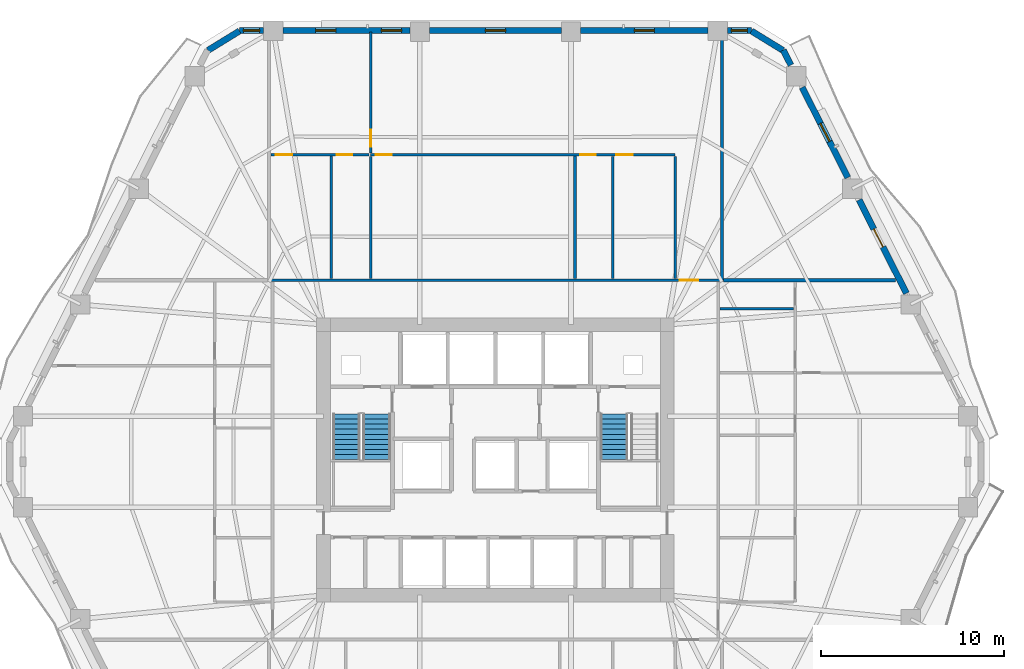
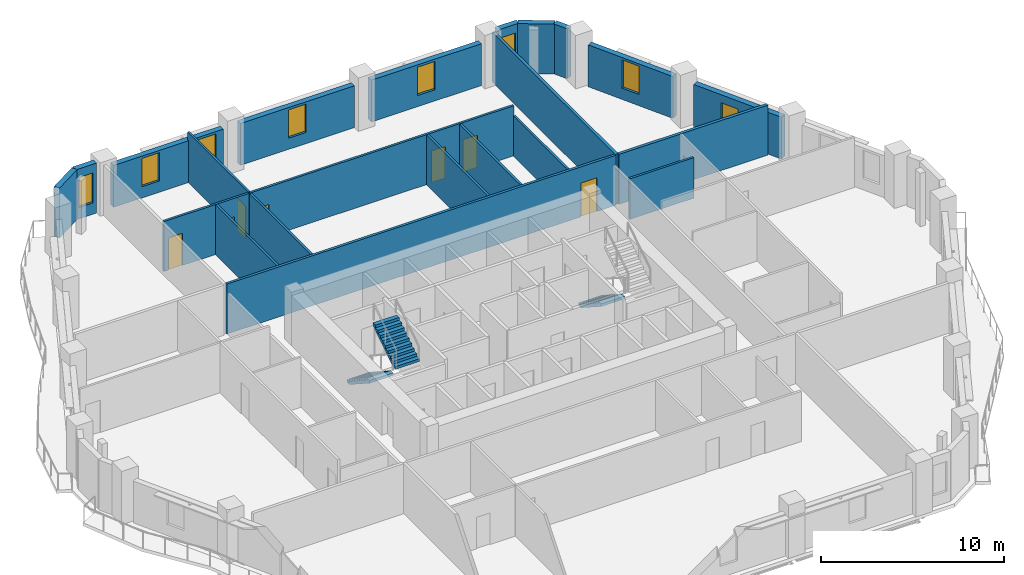
# One storey, part 7 of 13: 22 walls, 8 doors, 7 windows, 3 stair flights, 15 openings, 2 elements without a shape of their own.
"""IFC4 building model written with IfcOpenShell, lengths in metres."""

from ifc_helpers import new_model, si_unit, direction, frame, frame_2d, origin, place, context, subcontext, project, spatial, polyline, rectangle, outline, extrude, material, layer, layer_set, type_object, element, fill, aggregate, save


model = new_model("IFC4")

# Units and contexts
model_context = context("Model", 3, precision=1e-05, world=origin(), true_north=direction((0.0, 1.0)))
body_context = subcontext(model_context, "Body", "Model", "MODEL_VIEW")
ifc_project = project(units=[si_unit("LENGTHUNIT", "METRE"), si_unit("AREAUNIT", "SQUARE_METRE"), si_unit("VOLUMEUNIT", "CUBIC_METRE"), si_unit("PLANEANGLEUNIT", "RADIAN"), si_unit("MASSUNIT", "GRAM", prefix="KILO")], contexts=[model_context])

# Site, building, storey
site_placement = place(None, origin())
site = spatial("IfcSite", under=ifc_project, at=site_placement, CompositionType="ELEMENT")
building_placement = place(site_placement, origin())
building = spatial("IfcBuilding", under=site, at=building_placement, Name="Cinnabar Lancet Tower", CompositionType="ELEMENT")
storey_placement = place(building_placement, frame((0.0, 0.0, 80.0)))
storey = spatial("IfcBuildingStorey", under=building, at=storey_placement, Name="L20", CompositionType="ELEMENT", Elevation=80.0)

# Wall, opening, door
ifc_material_1 = material(Name="Acoustic twin-stud gypsum partition", Category="gypsum")
ifc_layer_1 = layer(ifc_material_1, 0.159912109375)
ifc_layer_set_1 = layer_set([ifc_layer_1], Name="Acoustic twin-stud gypsum partition")
wall_type_1 = type_object("IfcWallType", Name="ARC-WL-CORR-160", PredefinedType="PARTITIONING", material=ifc_layer_set_1)
wall_1_placement = place(storey_placement, frame((20.14501953125, 35.699951171875, 0.0), z_axis=(0.0, 0.0, 1.0), x_axis=(1.0, 0.0, 0.0)))
wall_1 = element("IfcWall", 1, at=wall_1_placement, inside=storey, type_object=wall_type_1, Name="L20 Unit N01 Corridor Wall", PredefinedType="PARTITIONING", context=body_context, shape_type="SweptSolid", body=[
    extrude(rectangle(XDim=24.510009765625, YDim=0.159912109375, at=frame_2d((12.2548828125, 0.0))), origin(), (0.0, 0.0, 1.0), 3.330078125),
])
opening_1_placement = place(wall_1_placement, frame((22.304931640625, 0.0, 0.0)))
opening_1 = element("IfcOpeningElement", 2, at=opening_1_placement, cuts=wall_1, Name="Opening UD-01", PredefinedType="OPENING", context=body_context, shape_type="SweptSolid", body=[
    extrude(rectangle(XDim=1.02001953125, YDim=2.25, at=frame_2d((0.510009765625, 1.125))), frame((0.0, 0.08984375, 0.0), z_axis=(0.0, -1.0, 0.0), x_axis=(1.0, 0.0, 0.0)), (0.0, 0.0, 1.0), 0.179931640625),
])
ifc_material_2 = material(Name="Solid timber fire-rated apartment entrance door", Category="wood")
door_type_1 = type_object("IfcDoorType", Name="ARC-DR-UNIT", OperationType="NOTDEFINED", PredefinedType="DOOR", material=ifc_material_2)
door_1_placement = place(opening_1_placement, origin())
door_1 = element("IfcDoor", 3, at=door_1_placement, inside=storey, type_object=door_type_1, Name="DR-L20-N01-ENT", OperationType="SINGLE_SWING_LEFT", OverallHeight=2.25, OverallWidth=1.02001953125, PredefinedType="DOOR", context=body_context, shape_type="SweptSolid", body=[
    extrude(rectangle(XDim=1.02001953125, YDim=2.25, at=frame_2d((0.510009765625, 1.125))), frame((0.0, 0.02490234375, 0.0), z_axis=(0.0, -1.0, 0.0), x_axis=(1.0, 0.0, 0.0)), (0.0, 0.0, 1.0), 0.050048828125),
])
fill(opening_1, door_1)

# Walls
ifc_material_3 = material(Name="Fire-rated twin-frame acoustic drywall", Category="gypsum")
ifc_layer_2 = layer(ifc_material_3, 0.179931640625)
ifc_layer_set_2 = layer_set([ifc_layer_2], Name="Fire-rated twin-frame acoustic drywall")
wall_type_2 = type_object("IfcWallType", Name="ARC-WL-PARTY-180", PredefinedType="PARTITIONING", material=ifc_layer_set_2)
wall_2_placement = place(storey_placement, frame((44.75, 35.699951171875, 0.0), z_axis=(0.0, 0.0, 1.0), x_axis=(0.0, 1.0, 0.0)))
element("IfcWall", 4, at=wall_2_placement, inside=storey, type_object=wall_type_2, Name="PW-L20-NPTY-448", PredefinedType="PARTITIONING", context=body_context, shape_type="SweptSolid", body=[
    extrude(rectangle(XDim=13.445068359375, YDim=0.179931640625, at=frame_2d((6.72265625, 0.0))), origin(), (0.0, 0.0, 1.0), 3.330078125),
])
wall_3_placement = place(storey_placement, frame((44.844970703125, 35.699951171875, 0.0), z_axis=(0.0, 0.0, 1.0), x_axis=(1.0, 0.0, 0.0)))
element("IfcWall", 5, at=wall_3_placement, inside=storey, type_object=wall_type_2, Name="PW-L20-ENB", PredefinedType="PARTITIONING", context=body_context, shape_type="SweptSolid", body=[
    extrude(rectangle(XDim=9.365966796875, YDim=0.179931640625, at=frame_2d((4.68310546875, 0.0))), origin(), (0.0, 0.0, 1.0), 3.330078125),
])
ifc_material_4 = material(Name="Gypsum plasterboard stud partition", Category="gypsum")
ifc_layer_3 = layer(ifc_material_4, 0.125)
ifc_layer_set_3 = layer_set([ifc_layer_3], Name="Gypsum plasterboard stud partition")
wall_type_3 = type_object("IfcWallType", Name="ARC-WL-UNIT-125", PredefinedType="PARTITIONING", material=ifc_layer_set_3)
wall_4_placement = place(storey_placement, frame((42.199951171875, 35.784912109375, 0.0), z_axis=(0.0, 0.0, 1.0), x_axis=(0.0, 1.0, 0.0)))
element("IfcWall", 6, at=wall_4_placement, inside=storey, type_object=wall_type_3, Name="UW-L20-N01-FOYW", PredefinedType="PARTITIONING", context=body_context, shape_type="SweptSolid", body=[
    extrude(rectangle(XDim=6.6669921875, YDim=0.125, at=frame_2d((3.33349609375, 0.0))), origin(), (0.0, 0.0, 1.0), 2.699951171875),
])

# Wall, opening, door
wall_5_placement = place(storey_placement, frame((25.590087890625, 42.632080078125, 0.0), z_axis=(0.0, 0.0, 1.0), x_axis=(0.0, 1.0, 0.0)))
wall_5 = element("IfcWall", 7, at=wall_5_placement, inside=storey, type_object=wall_type_3, Name="UW-L20-N01-MBW", PredefinedType="PARTITIONING", context=body_context, shape_type="SweptSolid", body=[
    extrude(rectangle(XDim=6.60302734375, YDim=0.125, at=frame_2d((3.301513671875, 0.0))), origin(), (0.0, 0.0, 1.0), 3.330078125),
])
opening_2_placement = place(wall_5_placement, frame((0.35009765625, 0.0, 0.0)))
opening_2 = element("IfcOpeningElement", 8, at=opening_2_placement, cuts=wall_5, Name="Opening RD-01", PredefinedType="OPENING", context=body_context, shape_type="SweptSolid", body=[
    extrude(rectangle(XDim=0.919921875, YDim=2.14990234375, at=frame_2d((0.4599609375, 1.074951171875))), frame((0.0, 0.072509765625, 0.0), z_axis=(0.0, -1.0, 0.0), x_axis=(1.0, 0.0, 0.0)), (0.0, 0.0, 1.0), 0.14501953125),
])
ifc_material_5 = material(Name="Engineered timber bedroom door", Category="wood")
door_type_2 = type_object("IfcDoorType", Name="ARC-DR-ROOM", OperationType="NOTDEFINED", PredefinedType="DOOR", material=ifc_material_5)
door_2_placement = place(opening_2_placement, origin())
door_2 = element("IfcDoor", 9, at=door_2_placement, inside=storey, type_object=door_type_2, Name="DR-L20-N01-MBD", OperationType="SINGLE_SWING_RIGHT", OverallHeight=2.14990234375, OverallWidth=0.919921875, PredefinedType="DOOR", context=body_context, shape_type="SweptSolid", body=[
    extrude(rectangle(XDim=0.919921875, YDim=2.14990234375, at=frame_2d((0.4599609375, 1.074951171875))), frame((0.0, 0.02490234375, 0.0), z_axis=(0.0, -1.0, 0.0), x_axis=(1.0, 0.0, 0.0)), (0.0, 0.0, 1.0), 0.050048828125),
])
fill(opening_2, door_2)

# Wall, openings, doors
ifc_material_6 = material(Name="Moisture-resistant cement-board plumbing wall", Category="masonry")
ifc_layer_4 = layer(ifc_material_6, 0.139892578125)
ifc_layer_set_4 = layer_set([ifc_layer_4], Name="Moisture-resistant cement-board plumbing wall")
wall_type_4 = type_object("IfcWallType", Name="ARC-WL-WET-140", PredefinedType="PLUMBINGWALL", material=ifc_layer_set_4)
wall_6_placement = place(storey_placement, frame((25.590087890625, 42.556884765625, 0.0), z_axis=(0.0, 0.0, 1.0), x_axis=(1.0, 0.0, 0.0)))
wall_6 = element("IfcWall", 10, at=wall_6_placement, inside=storey, type_object=wall_type_4, Name="UW-L20-N01-SPL", PredefinedType="PLUMBINGWALL", context=body_context, shape_type="SweptSolid", body=[
    extrude(rectangle(XDim=16.60986328125, YDim=0.139892578125, at=frame_2d((8.304931640625, 0.0))), origin(), (0.0, 0.0, 1.0), 3.330078125),
])
opening_3_placement = place(wall_6_placement, frame((0.280029296875, 0.0, 0.0)))
opening_3 = element("IfcOpeningElement", 11, at=opening_3_placement, cuts=wall_6, Name="Opening RD-02", PredefinedType="OPENING", context=body_context, shape_type="SweptSolid", body=[
    extrude(rectangle(XDim=0.8798828125, YDim=2.14990234375, at=frame_2d((0.43994140625, 1.074951171875))), frame((0.0, 0.079833984375, 0.0), z_axis=(0.0, -1.0, 0.0), x_axis=(1.0, 0.0, 0.0)), (0.0, 0.0, 1.0), 0.159912109375),
])
opening_4_placement = place(wall_6_placement, frame((11.428955078125, 0.0, 0.0)))
opening_4 = element("IfcOpeningElement", 12, at=opening_4_placement, cuts=wall_6, Name="Opening BD-01", PredefinedType="OPENING", context=body_context, shape_type="SweptSolid", body=[
    extrude(rectangle(XDim=0.860107421875, YDim=2.10009765625, at=frame_2d((0.43017578125, 1.050048828125))), frame((0.0, 0.079833984375, 0.0), z_axis=(0.0, -1.0, 0.0), x_axis=(1.0, 0.0, 0.0)), (0.0, 0.0, 1.0), 0.159912109375),
])
opening_5_placement = place(wall_6_placement, frame((13.409912109375, 0.0, 0.0)))
opening_5 = element("IfcOpeningElement", 13, at=opening_5_placement, cuts=wall_6, Name="Opening RD-02", PredefinedType="OPENING", context=body_context, shape_type="SweptSolid", body=[
    extrude(rectangle(XDim=0.8798828125, YDim=2.14990234375, at=frame_2d((0.43994140625, 1.074951171875))), frame((0.0, 0.079833984375, 0.0), z_axis=(0.0, -1.0, 0.0), x_axis=(1.0, 0.0, 0.0)), (0.0, 0.0, 1.0), 0.159912109375),
])
ifc_material_7 = material(Name="Moisture-resistant timber bathroom door", Category="wood")
door_type_3 = type_object("IfcDoorType", Name="ARC-DR-BATH", OperationType="NOTDEFINED", PredefinedType="DOOR", material=ifc_material_7)
door_3_placement = place(opening_4_placement, origin())
door_3 = element("IfcDoor", 14, at=door_3_placement, inside=storey, type_object=door_type_3, Name="DR-L20-N01-BTH", OperationType="SINGLE_SWING_LEFT", OverallHeight=2.10009765625, OverallWidth=0.860107421875, PredefinedType="DOOR", context=body_context, shape_type="SweptSolid", body=[
    extrude(rectangle(XDim=0.860107421875, YDim=2.10009765625, at=frame_2d((0.43017578125, 1.050048828125))), frame((0.0, 0.02490234375, 0.0), z_axis=(0.0, -1.0, 0.0), x_axis=(1.0, 0.0, 0.0)), (0.0, 0.0, 1.0), 0.050048828125),
])
fill(opening_4, door_3)
ifc_material_8 = material(Name="Engineered timber study door", Category="wood")
door_type_4 = type_object("IfcDoorType", Name="ARC-DR-STUDY", OperationType="NOTDEFINED", PredefinedType="DOOR", material=ifc_material_8)
door_4_placement = place(opening_3_placement, origin())
door_4 = element("IfcDoor", 15, at=door_4_placement, inside=storey, type_object=door_type_4, Name="DR-L20-N01-BTH-WDR", OperationType="SINGLE_SWING_RIGHT", OverallHeight=2.14990234375, OverallWidth=0.8798828125, PredefinedType="DOOR", context=body_context, shape_type="SweptSolid", body=[
    extrude(rectangle(XDim=0.8798828125, YDim=2.14990234375, at=frame_2d((0.43994140625, 1.074951171875))), frame((0.0, 0.02490234375, 0.0), z_axis=(0.0, -1.0, 0.0), x_axis=(1.0, 0.0, 0.0)), (0.0, 0.0, 1.0), 0.050048828125),
])
fill(opening_3, door_4)
door_5_placement = place(opening_5_placement, origin())
door_5 = element("IfcDoor", 16, at=door_5_placement, inside=storey, type_object=door_type_4, Name="DR-L20-N01-KIT", OperationType="SINGLE_SWING_LEFT", OverallHeight=2.14990234375, OverallWidth=0.8798828125, PredefinedType="DOOR", context=body_context, shape_type="SweptSolid", body=[
    extrude(rectangle(XDim=0.8798828125, YDim=2.14990234375, at=frame_2d((0.43994140625, 1.074951171875))), frame((0.0, 0.02490234375, 0.0), z_axis=(0.0, -1.0, 0.0), x_axis=(1.0, 0.0, 0.0)), (0.0, 0.0, 1.0), 0.050048828125),
])
fill(opening_5, door_5)

wall_7_placement = place(storey_placement, frame((20.14501953125, 42.556884765625, 0.0), z_axis=(0.0, 0.0, 1.0), x_axis=(1.0, 0.0, 0.0)))
wall_7 = element("IfcWall", 17, at=wall_7_placement, inside=storey, type_object=wall_type_4, Name="UW-L20-N01-SPM", PredefinedType="PLUMBINGWALL", context=body_context, shape_type="SweptSolid", body=[
    extrude(rectangle(XDim=5.369873046875, YDim=0.139892578125, at=frame_2d((2.68505859375, 0.0))), origin(), (0.0, 0.0, 1.0), 3.330078125),
])
opening_6_placement = place(wall_7_placement, frame((0.280029296875, 0.0, 0.0)))
opening_6 = element("IfcOpeningElement", 18, at=opening_6_placement, cuts=wall_7, Name="Opening RD-02", PredefinedType="OPENING", context=body_context, shape_type="SweptSolid", body=[
    extrude(rectangle(XDim=0.8798828125, YDim=2.14990234375, at=frame_2d((0.43994140625, 1.074951171875))), frame((0.0, 0.079833984375, 0.0), z_axis=(0.0, -1.0, 0.0), x_axis=(1.0, 0.0, 0.0)), (0.0, 0.0, 1.0), 0.159912109375),
])
opening_7_placement = place(wall_7_placement, frame((3.589111328125, 0.0, 0.0)))
opening_7 = element("IfcOpeningElement", 19, at=opening_7_placement, cuts=wall_7, Name="Opening BD-01", PredefinedType="OPENING", context=body_context, shape_type="SweptSolid", body=[
    extrude(rectangle(XDim=0.860107421875, YDim=2.10009765625, at=frame_2d((0.43017578125, 1.050048828125))), frame((0.0, 0.079833984375, 0.0), z_axis=(0.0, -1.0, 0.0), x_axis=(1.0, 0.0, 0.0)), (0.0, 0.0, 1.0), 0.159912109375),
])
door_6_placement = place(opening_7_placement, origin())
door_6 = element("IfcDoor", 20, at=door_6_placement, inside=storey, type_object=door_type_3, Name="DR-L20-N01-ENS", OperationType="SINGLE_SWING_RIGHT", OverallHeight=2.10009765625, OverallWidth=0.860107421875, PredefinedType="DOOR", context=body_context, shape_type="SweptSolid", body=[
    extrude(rectangle(XDim=0.860107421875, YDim=2.10009765625, at=frame_2d((0.43017578125, 1.050048828125))), frame((0.0, 0.02490234375, 0.0), z_axis=(0.0, -1.0, 0.0), x_axis=(1.0, 0.0, 0.0)), (0.0, 0.0, 1.0), 0.050048828125),
])
fill(opening_7, door_6)
door_7_placement = place(opening_6_placement, origin())
door_7 = element("IfcDoor", 21, at=door_7_placement, inside=storey, type_object=door_type_4, Name="DR-L20-N01-ENS-WDR", OperationType="SINGLE_SWING_LEFT", OverallHeight=2.14990234375, OverallWidth=0.8798828125, PredefinedType="DOOR", context=body_context, shape_type="SweptSolid", body=[
    extrude(rectangle(XDim=0.8798828125, YDim=2.14990234375, at=frame_2d((0.43994140625, 1.074951171875))), frame((0.0, 0.02490234375, 0.0), z_axis=(0.0, -1.0, 0.0), x_axis=(1.0, 0.0, 0.0)), (0.0, 0.0, 1.0), 0.050048828125),
])
fill(opening_6, door_7)

# Walls
for number, where, z_axis, x_axis, name in (
    (22, (38.800048828125, 35.784912109375, 0.0), (0.0, 0.0, 1.0), (0.0, 1.0, 0.0), "UW-L20-N01-KBD"),
    (23, (25.590087890625, 35.784912109375, 0.0), (0.0, 0.0, 1.0), (0.0, 1.0, 0.0), "UW-L20-N01-ENSW"),
):
    element("IfcWall", number, at=place(storey_placement, frame(where, z_axis=z_axis, x_axis=x_axis)), inside=storey, type_object=wall_type_4, Name=name, PredefinedType="PLUMBINGWALL", context=body_context, shape_type="SweptSolid", body=[
        extrude(rectangle(XDim=6.6669921875, YDim=0.139892578125, at=frame_2d((3.33349609375, 0.0))), origin(), (0.0, 0.0, 1.0), 3.330078125),
    ])
for number, where, z_axis, x_axis, name in (
    (24, (36.739013671875, 35.784912109375, 0.0), (0.0, 0.0, 1.0), (0.0, 1.0, 0.0), "UW-L20-N01-BTH-WDV"),
    (25, (23.4541015625, 35.784912109375, 0.0), (0.0, 0.0, 1.0), (0.0, 1.0, 0.0), "UW-L20-N01-ENS-WDV"),
):
    element("IfcWall", number, at=place(storey_placement, frame(where, z_axis=z_axis, x_axis=x_axis)), inside=storey, type_object=wall_type_4, Name=name, PredefinedType="PLUMBINGWALL", context=body_context, shape_type="SweptSolid", body=[
        extrude(rectangle(XDim=6.68701171875, YDim=0.139892578125, at=frame_2d((3.343505859375, 0.0))), origin(), (0.0, 0.0, 1.0), 3.330078125),
    ])
wall_8_placement = place(storey_placement, frame((44.635009765625, 34.14892578125, 0.0), z_axis=(0.0, 0.0, 1.0), x_axis=(1.0, 0.0, 0.0)))
element("IfcWall", 26, at=wall_8_placement, inside=storey, type_object=wall_type_4, Name="UW-L20-E01-EWDV", PredefinedType="PLUMBINGWALL", context=body_context, shape_type="SweptSolid", body=[
    extrude(rectangle(XDim=4.030029296875, YDim=0.139892578125, at=frame_2d((2.01513671875, 0.0))), origin(), (0.0, 0.0, 1.0), 2.699951171875),
])
ifc_material_9 = material(Name="Cinnabar red clay brick", Category="masonry")
ifc_layer_5 = layer(ifc_material_9, 0.340087890625)
ifc_layer_set_5 = layer_set([ifc_layer_5], Name="Cinnabar red clay brick")
wall_type_5 = type_object("IfcWallType", Name="ENV-WL-BRK-RED-340", PredefinedType="STANDARD", material=ifc_layer_set_5)
for number, where, z_axis, x_axis, name in (
    (27, (48.080078125, 48.238037109375, 0.0), (0.0, 0.0, 1.0), (-0.851870104345, 0.523753114857, 0.0), "L20 Chamfered Corner Brick Pier 4.1"),
    (28, (18.43896484375, 49.294921875, 0.0), (0.0, 0.0, 1.0), (-0.851870104345, -0.523753114857, 0.0), "L20 Chamfered Corner Brick Pier 5.1"),
):
    element("IfcWall", number, at=place(storey_placement, frame(where, z_axis=z_axis, x_axis=x_axis)), inside=storey, type_object=wall_type_5, Name=name, PredefinedType="STANDARD", context=body_context, shape_type="SweptSolid", body=[
        extrude(rectangle(XDim=2.017822265625, YDim=0.340087890625, at=frame_2d((1.0087890625, 0.0))), origin(), (0.0, 0.0, 1.0), 3.330078125),
    ])

# Wall, opening, door
wall_9_placement = place(storey_placement, frame((54.81396484375, 34.986083984375, 0.0), z_axis=(0.0, 0.0, 1.0), x_axis=(-0.451633893529, 0.892203354744, 0.0)))
wall_9 = element("IfcWall", 29, at=wall_9_placement, inside=storey, type_object=wall_type_5, Name="L20 Face 3 Masonry Bay Wall 3", PredefinedType="STANDARD", context=body_context, shape_type="SweptSolid", body=[
    extrude(rectangle(XDim=5.71484375, YDim=0.340087890625, at=frame_2d((2.857421875, 0.0))), origin(), (0.0, 0.0, 1.0), 2.787109375),
])
opening_8_placement = place(wall_9_placement, frame((2.8330078125, 0.0, 0.0)))
opening_8 = element("IfcOpeningElement", 30, at=opening_8_placement, cuts=wall_9, Name="Opening TD-01", PredefinedType="OPENING", context=body_context, shape_type="SweptSolid", body=[
    extrude(rectangle(XDim=1.10009765625, YDim=2.25, at=frame_2d((0.550048828125, 1.125))), frame((0.0, 0.179931640625, 0.0), z_axis=(0.0, -1.0, 0.0), x_axis=(1.0, 0.0, 0.0)), (0.0, 0.0, 1.0), 0.360107421875),
])
ifc_material_10 = material(Name="Thermally broken low-E glazed balcony terrace door", Category="wood")
door_type_5 = type_object("IfcDoorType", Name="ARC-DR-BALC", OperationType="NOTDEFINED", PredefinedType="DOOR", material=ifc_material_10)
door_8_placement = place(opening_8_placement, origin())
door_8 = element("IfcDoor", 31, at=door_8_placement, inside=storey, type_object=door_type_5, Name="L20 Face 3 Glazed Terrace Door", OperationType="SINGLE_SWING_LEFT", OverallHeight=2.25, OverallWidth=1.10009765625, PredefinedType="DOOR", context=body_context, shape_type="SweptSolid", body=[
    extrude(rectangle(XDim=1.10009765625, YDim=2.25, at=frame_2d((0.550048828125, 1.125))), frame((0.0, 0.02490234375, 0.0), z_axis=(0.0, -1.0, 0.0), x_axis=(1.0, 0.0, 0.0)), (0.0, 0.0, 1.0), 0.050048828125),
])
fill(opening_8, door_8)

# Wall, opening, window
wall_10_placement = place(storey_placement, frame((51.62109375, 41.297119140625, 0.0), z_axis=(0.0, 0.0, 1.0), x_axis=(-0.451737622594, 0.892150839451, 0.0)))
wall_10 = element("IfcWall", 32, at=wall_10_placement, inside=storey, type_object=wall_type_5, Name="L20 Face 3 Masonry Bay Wall 4", PredefinedType="STANDARD", context=body_context, shape_type="SweptSolid", body=[
    extrude(rectangle(XDim=5.51904296875, YDim=0.340087890625, at=frame_2d((2.759521484375, 0.0))), origin(), (0.0, 0.0, 1.0), 2.787109375),
])
opening_9_placement = place(wall_10_placement, frame((2.2099609375, 0.0, 0.75)))
opening_9 = element("IfcOpeningElement", 33, at=opening_9_placement, cuts=wall_10, Name="Opening WN-04", PredefinedType="OPENING", context=body_context, shape_type="SweptSolid", body=[
    extrude(rectangle(XDim=1.10009765625, YDim=1.886962890625, at=frame_2d((0.550048828125, 0.943359375))), frame((0.0, 0.179931640625, 0.0), z_axis=(0.0, -1.0, 0.0), x_axis=(1.0, 0.0, 0.0)), (0.0, 0.0, 1.0), 0.360107421875),
])
ifc_material_11 = material(Name="Thermally broken bronze-anodized aluminium tall lancet window", Category="aluminium")
window_type = type_object("IfcWindowType", Name="ENV-WN-LANCET-1100", PartitioningType="SINGLE_PANEL", PredefinedType="WINDOW", material=ifc_material_11)
window_1_placement = place(opening_9_placement, origin())
window_1 = element("IfcWindow", 34, at=window_1_placement, inside=storey, type_object=window_type, Name="L20 Face 3 Gothic Lancet Window 4", OverallHeight=1.886962890625, OverallWidth=1.10009765625, PartitioningType="SINGLE_PANEL", PredefinedType="WINDOW", context=body_context, shape_type="SweptSolid", body=[
    extrude(rectangle(XDim=1.10009765625, YDim=1.886962890625, at=frame_2d((0.550048828125, 0.943359375))), frame((0.0, 0.030029296875, 0.0), z_axis=(0.0, -1.0, 0.0), x_axis=(1.0, 0.0, 0.0)), (0.0, 0.0, 1.0), 0.06005859375),
])
fill(opening_9, window_1)

# Wall
wall_11_placement = place(storey_placement, frame((48.51611328125, 47.43310546875, 0.0), z_axis=(0.0, 0.0, 1.0), x_axis=(-0.452088642812, 0.891973014749, 0.0)))
element("IfcWall", 35, at=wall_11_placement, inside=storey, type_object=wall_type_5, Name="L20 Face 3 Masonry Bay Wall 5", PredefinedType="STANDARD", context=body_context, shape_type="SweptSolid", body=[
    extrude(rectangle(XDim=0.920166015625, YDim=0.340087890625, at=frame_2d((0.4599609375, 0.0))), origin(), (0.0, 0.0, 1.0), 3.330078125),
])

# Wall, opening, window
wall_12_placement = place(storey_placement, frame((46.365966796875, 49.320068359375, 0.0), z_axis=(0.0, 0.0, 1.0), x_axis=(-1.0, 0.0, 0.0)))
wall_12 = element("IfcWall", 36, at=wall_12_placement, inside=storey, type_object=wall_type_5, Name="L20 Face 4 Masonry Bay Wall 1", PredefinedType="STANDARD", context=body_context, shape_type="SweptSolid", body=[
    extrude(rectangle(XDim=1.320068359375, YDim=0.340087890625, at=frame_2d((0.66015625, 0.0))), origin(), (0.0, 0.0, 1.0), 3.330078125),
])
opening_10_placement = place(wall_12_placement, frame((0.219970703125, 0.0, 0.75)))
opening_10 = element("IfcOpeningElement", 37, at=opening_10_placement, cuts=wall_12, Name="Opening WN-04", PredefinedType="OPENING", context=body_context, shape_type="SweptSolid", body=[
    extrude(rectangle(XDim=0.8798828125, YDim=2.0, at=frame_2d((0.43994140625, 1.0))), frame((0.0, 0.179931640625, 0.0), z_axis=(0.0, -1.0, 0.0), x_axis=(1.0, 0.0, 0.0)), (0.0, 0.0, 1.0), 0.360107421875),
])
window_2_placement = place(opening_10_placement, origin())
window_2 = element("IfcWindow", 38, at=window_2_placement, inside=storey, type_object=window_type, Name="L20 Split-Bay Gothic Lancet Window 54", OverallHeight=2.0, OverallWidth=0.8798828125, PartitioningType="SINGLE_PANEL", PredefinedType="WINDOW", context=body_context, shape_type="SweptSolid", body=[
    extrude(rectangle(XDim=0.8798828125, YDim=2.0, at=frame_2d((0.43994140625, 1.0))), frame((0.0, 0.030029296875, 0.0), z_axis=(0.0, -1.0, 0.0), x_axis=(1.0, 0.0, 0.0)), (0.0, 0.0, 1.0), 0.06005859375),
])
fill(opening_10, window_2)

wall_13_placement = place(storey_placement, frame((43.988037109375, 49.320068359375, 0.0), z_axis=(0.0, 0.0, 1.0), x_axis=(-1.0, 0.0, 0.0)))
wall_13 = element("IfcWall", 39, at=wall_13_placement, inside=storey, type_object=wall_type_5, Name="L20 Face 4 Masonry Bay Wall 2", PredefinedType="STANDARD", context=body_context, shape_type="SweptSolid", body=[
    extrude(rectangle(XDim=6.93701171875, YDim=0.340087890625, at=frame_2d((3.468505859375, 0.0))), origin(), (0.0, 0.0, 1.0), 2.787109375),
])
opening_11_placement = place(wall_13_placement, frame((2.91796875, 0.0, 0.75)))
opening_11 = element("IfcOpeningElement", 40, at=opening_11_placement, cuts=wall_13, Name="Opening WN-04", PredefinedType="OPENING", context=body_context, shape_type="SweptSolid", body=[
    extrude(rectangle(XDim=1.10009765625, YDim=1.886962890625, at=frame_2d((0.550048828125, 0.943359375))), frame((0.0, 0.179931640625, 0.0), z_axis=(0.0, -1.0, 0.0), x_axis=(1.0, 0.0, 0.0)), (0.0, 0.0, 1.0), 0.360107421875),
])
window_3_placement = place(opening_11_placement, origin())
window_3 = element("IfcWindow", 41, at=window_3_placement, inside=storey, type_object=window_type, Name="L20 Face 4 Gothic Lancet Window 2", OverallHeight=1.886962890625, OverallWidth=1.10009765625, PartitioningType="SINGLE_PANEL", PredefinedType="WINDOW", context=body_context, shape_type="SweptSolid", body=[
    extrude(rectangle(XDim=1.10009765625, YDim=1.886962890625, at=frame_2d((0.550048828125, 0.943359375))), frame((0.0, 0.030029296875, 0.0), z_axis=(0.0, -1.0, 0.0), x_axis=(1.0, 0.0, 0.0)), (0.0, 0.0, 1.0), 0.06005859375),
])
fill(opening_11, window_3)

wall_14_placement = place(storey_placement, frame((35.992919921875, 49.320068359375, 0.0), z_axis=(0.0, 0.0, 1.0), x_axis=(-1.0, 0.0, 0.0)))
wall_14 = element("IfcWall", 42, at=wall_14_placement, inside=storey, type_object=wall_type_5, Name="L20 Face 4 Masonry Bay Wall 3", PredefinedType="STANDARD", context=body_context, shape_type="SweptSolid", body=[
    extrude(rectangle(XDim=7.18603515625, YDim=0.340087890625, at=frame_2d((3.593017578125, 0.0))), origin(), (0.0, 0.0, 1.0), 2.787109375),
])
opening_12_placement = place(wall_14_placement, frame((3.04296875, 0.0, 0.75)))
opening_12 = element("IfcOpeningElement", 43, at=opening_12_placement, cuts=wall_14, Name="Opening WN-04", PredefinedType="OPENING", context=body_context, shape_type="SweptSolid", body=[
    extrude(rectangle(XDim=1.10009765625, YDim=1.886962890625, at=frame_2d((0.550048828125, 0.943359375))), frame((0.0, 0.179931640625, 0.0), z_axis=(0.0, -1.0, 0.0), x_axis=(1.0, 0.0, 0.0)), (0.0, 0.0, 1.0), 0.360107421875),
])
window_4_placement = place(opening_12_placement, origin())
window_4 = element("IfcWindow", 44, at=window_4_placement, inside=storey, type_object=window_type, Name="L20 Face 4 Gothic Lancet Window 3", OverallHeight=1.886962890625, OverallWidth=1.10009765625, PartitioningType="SINGLE_PANEL", PredefinedType="WINDOW", context=body_context, shape_type="SweptSolid", body=[
    extrude(rectangle(XDim=1.10009765625, YDim=1.886962890625, at=frame_2d((0.550048828125, 0.943359375))), frame((0.0, 0.030029296875, 0.0), z_axis=(0.0, -1.0, 0.0), x_axis=(1.0, 0.0, 0.0)), (0.0, 0.0, 1.0), 0.06005859375),
])
fill(opening_12, window_4)

# Wall, openings, windows
wall_15_placement = place(storey_placement, frame((27.7490234375, 49.320068359375, 0.0), z_axis=(0.0, 0.0, 1.0), x_axis=(-1.0, 0.0, 0.0)))
wall_15 = element("IfcWall", 45, at=wall_15_placement, inside=storey, type_object=wall_type_5, Name="L20 Face 4 Masonry Bay Wall 4", PredefinedType="STANDARD", context=body_context, shape_type="SweptSolid", body=[
    extrude(rectangle(XDim=6.93701171875, YDim=0.340087890625, at=frame_2d((3.468505859375, 0.0))), origin(), (0.0, 0.0, 1.0), 2.787109375),
])
opening_13_placement = place(wall_15_placement, frame((0.472900390625, 0.0, 0.75)))
opening_13 = element("IfcOpeningElement", 46, at=opening_13_placement, cuts=wall_15, Name="Opening WN-04", PredefinedType="OPENING", context=body_context, shape_type="SweptSolid", body=[
    extrude(rectangle(XDim=1.10009765625, YDim=1.886962890625, at=frame_2d((0.550048828125, 0.943359375))), frame((0.0, 0.179931640625, 0.0), z_axis=(0.0, -1.0, 0.0), x_axis=(1.0, 0.0, 0.0)), (0.0, 0.0, 1.0), 0.360107421875),
])
opening_14_placement = place(wall_15_placement, frame((4.053955078125, 0.0, 0.75)))
opening_14 = element("IfcOpeningElement", 47, at=opening_14_placement, cuts=wall_15, Name="Opening WN-04", PredefinedType="OPENING", context=body_context, shape_type="SweptSolid", body=[
    extrude(rectangle(XDim=1.10009765625, YDim=1.886962890625, at=frame_2d((0.550048828125, 0.943359375))), frame((0.0, 0.179931640625, 0.0), z_axis=(0.0, -1.0, 0.0), x_axis=(1.0, 0.0, 0.0)), (0.0, 0.0, 1.0), 0.360107421875),
])
window_5_placement = place(opening_13_placement, origin())
window_5 = element("IfcWindow", 48, at=window_5_placement, inside=storey, type_object=window_type, Name="L20 Face 4 Gothic Lancet Window 4", OverallHeight=1.886962890625, OverallWidth=1.10009765625, PartitioningType="SINGLE_PANEL", PredefinedType="WINDOW", context=body_context, shape_type="SweptSolid", body=[
    extrude(rectangle(XDim=1.10009765625, YDim=1.886962890625, at=frame_2d((0.550048828125, 0.943359375))), frame((0.0, 0.030029296875, 0.0), z_axis=(0.0, -1.0, 0.0), x_axis=(1.0, 0.0, 0.0)), (0.0, 0.0, 1.0), 0.06005859375),
])
fill(opening_13, window_5)
window_6_placement = place(opening_14_placement, origin())
window_6 = element("IfcWindow", 49, at=window_6_placement, inside=storey, type_object=window_type, Name="L20 Split-Bay Gothic Lancet Window 55", OverallHeight=1.886962890625, OverallWidth=1.10009765625, PartitioningType="SINGLE_PANEL", PredefinedType="WINDOW", context=body_context, shape_type="SweptSolid", body=[
    extrude(rectangle(XDim=1.10009765625, YDim=1.886962890625, at=frame_2d((0.550048828125, 0.943359375))), frame((0.0, 0.030029296875, 0.0), z_axis=(0.0, -1.0, 0.0), x_axis=(1.0, 0.0, 0.0)), (0.0, 0.0, 1.0), 0.06005859375),
])
fill(opening_14, window_6)

# Wall, opening, window
wall_16_placement = place(storey_placement, frame((19.75390625, 49.320068359375, 0.0), z_axis=(0.0, 0.0, 1.0), x_axis=(-1.0, 0.0, 0.0)))
wall_16 = element("IfcWall", 50, at=wall_16_placement, inside=storey, type_object=wall_type_5, Name="L20 Face 4 Masonry Bay Wall 5", PredefinedType="STANDARD", context=body_context, shape_type="SweptSolid", body=[
    extrude(rectangle(XDim=1.31982421875, YDim=0.340087890625, at=frame_2d((0.659912109375, 0.0))), origin(), (0.0, 0.0, 1.0), 3.330078125),
])
opening_15_placement = place(wall_16_placement, frame((0.219970703125, 0.0, 0.75)))
opening_15 = element("IfcOpeningElement", 51, at=opening_15_placement, cuts=wall_16, Name="Opening WN-04", PredefinedType="OPENING", context=body_context, shape_type="SweptSolid", body=[
    extrude(rectangle(XDim=0.8798828125, YDim=2.0, at=frame_2d((0.43994140625, 1.0))), frame((0.0, 0.179931640625, 0.0), z_axis=(0.0, -1.0, 0.0), x_axis=(1.0, 0.0, 0.0)), (0.0, 0.0, 1.0), 0.360107421875),
])
window_7_placement = place(opening_15_placement, origin())
window_7 = element("IfcWindow", 52, at=window_7_placement, inside=storey, type_object=window_type, Name="L20 Split-Bay Gothic Lancet Window 56", OverallHeight=2.0, OverallWidth=0.8798828125, PartitioningType="SINGLE_PANEL", PredefinedType="WINDOW", context=body_context, shape_type="SweptSolid", body=[
    extrude(rectangle(XDim=0.8798828125, YDim=2.0, at=frame_2d((0.43994140625, 1.0))), frame((0.0, 0.030029296875, 0.0), z_axis=(0.0, -1.0, 0.0), x_axis=(1.0, 0.0, 0.0)), (0.0, 0.0, 1.0), 0.06005859375),
])
fill(opening_15, window_7)

# Stair, stair flights
ifc_material_12 = material(Name="Concrete C40/50", Category="concrete")
stair_type = type_object("IfcStairType", Name="ST-CORE", PredefinedType="HALF_TURN_STAIR", material=ifc_material_12)
stair_1_placement = place(storey_placement, origin())
stair_1 = element("IfcStair", 53, at=stair_1_placement, inside=storey, type_object=stair_type, Name="L20 ST-1", PredefinedType="HALF_TURN_STAIR")
ifc_material_13 = material(Name="Concrete C40/50", Category="concrete")
stair_flight_type = type_object("IfcStairFlightType", Name="FLIGHT-CORE", PredefinedType="STRAIGHT", material=ifc_material_13)
stair_flight_1_placement = place(storey_placement, frame((24.27490234375, 28.39990234375, 0.0), z_axis=(0.0, 0.0, 1.0), x_axis=(0.0, -1.0, 0.0)))
stair_flight_1 = element("IfcStairFlight", 54, at=stair_flight_1_placement, type_object=stair_flight_type, Name="ST-1 flight 1", NumberOfRisers=10, NumberOfTreads=9, PredefinedType="STRAIGHT", RiserHeight=0.1775, TreadLength=0.275, context=body_context, shape_type="SweptSolid", body=[
    extrude(outline(polyline([(0.0, 0.0), (0.0, 0.177490234375), (0.27490234375, 0.177490234375), (0.27490234375, 0.35498046875), (0.550048828125, 0.35498046875), (0.550048828125, 0.532470703125), (0.824951171875, 0.532470703125), (0.824951171875, 0.7099609375), (1.10009765625, 0.7099609375), (1.10009765625, 0.887451171875), (1.375, 0.887451171875), (1.375, 1.06494140625), (1.64990234375, 1.06494140625), (1.64990234375, 1.242431640625), (1.925048828125, 1.242431640625), (1.925048828125, 1.419921875), (2.199951171875, 1.419921875), (2.199951171875, 1.597412109375), (2.47509765625, 1.597412109375), (2.47509765625, 1.77490234375), (2.47509765625, 1.419189453125), (0.2763671875, 0.0), (0.0, 0.0)])), frame((0.0, 0.75, 0.0), z_axis=(0.0, -1.0, 0.0), x_axis=(1.0, 0.0, 0.0)), (0.0, 0.0, 1.0), 1.5),
])
stair_flight_2_placement = place(storey_placement, frame((25.925048828125, 25.925048828125, 1.77490234375), z_axis=(0.0, 0.0, 1.0), x_axis=(0.0, 1.0, 0.0)))
stair_flight_2 = element("IfcStairFlight", 55, at=stair_flight_2_placement, type_object=stair_flight_type, Name="ST-1 flight 2", NumberOfRisers=10, NumberOfTreads=9, PredefinedType="STRAIGHT", RiserHeight=0.1775, TreadLength=0.275, context=body_context, shape_type="SweptSolid", body=[
    extrude(outline(polyline([(0.0, 0.0), (0.0, 0.177490234375), (0.27490234375, 0.177490234375), (0.27490234375, 0.35498046875), (0.550048828125, 0.35498046875), (0.550048828125, 0.532470703125), (0.824951171875, 0.532470703125), (0.824951171875, 0.7099609375), (1.10009765625, 0.7099609375), (1.10009765625, 0.887451171875), (1.375, 0.887451171875), (1.375, 1.06494140625), (1.64990234375, 1.06494140625), (1.64990234375, 1.242431640625), (1.925048828125, 1.242431640625), (1.925048828125, 1.419921875), (2.199951171875, 1.419921875), (2.199951171875, 1.597412109375), (2.47509765625, 1.597412109375), (2.47509765625, 1.77490234375), (2.47509765625, 1.419189453125), (0.2763671875, 0.0), (0.0, 0.0)])), frame((0.0, 0.75, 0.0), z_axis=(0.0, -1.0, 0.0), x_axis=(1.0, 0.0, 0.0)), (0.0, 0.0, 1.0), 1.5),
])
aggregate(stair_1, [stair_flight_1, stair_flight_2])

# Stair, stair flight
stair_2_placement = place(storey_placement, origin())
stair_2 = element("IfcStair", 56, at=stair_2_placement, inside=storey, type_object=stair_type, Name="L20 ST-2", PredefinedType="HALF_TURN_STAIR")
stair_flight_3_placement = place(storey_placement, frame((38.875, 28.39990234375, 0.0), z_axis=(0.0, 0.0, 1.0), x_axis=(0.0, -1.0, 0.0)))
stair_flight_3 = element("IfcStairFlight", 57, at=stair_flight_3_placement, type_object=stair_flight_type, Name="ST-2 flight 1", NumberOfRisers=10, NumberOfTreads=9, PredefinedType="STRAIGHT", RiserHeight=0.1775, TreadLength=0.275, context=body_context, shape_type="SweptSolid", body=[
    extrude(outline(polyline([(0.0, 0.0), (0.0, 0.177490234375), (0.27490234375, 0.177490234375), (0.27490234375, 0.35498046875), (0.550048828125, 0.35498046875), (0.550048828125, 0.532470703125), (0.824951171875, 0.532470703125), (0.824951171875, 0.7099609375), (1.10009765625, 0.7099609375), (1.10009765625, 0.887451171875), (1.375, 0.887451171875), (1.375, 1.06494140625), (1.64990234375, 1.06494140625), (1.64990234375, 1.242431640625), (1.925048828125, 1.242431640625), (1.925048828125, 1.419921875), (2.199951171875, 1.419921875), (2.199951171875, 1.597412109375), (2.47509765625, 1.597412109375), (2.47509765625, 1.77490234375), (2.47509765625, 1.419189453125), (0.2763671875, 0.0), (0.0, 0.0)])), frame((0.0, 0.75, 0.0), z_axis=(0.0, -1.0, 0.0), x_axis=(1.0, 0.0, 0.0)), (0.0, 0.0, 1.0), 1.5),
])
aggregate(stair_2, [stair_flight_3])

save(model, "model.ifc")
